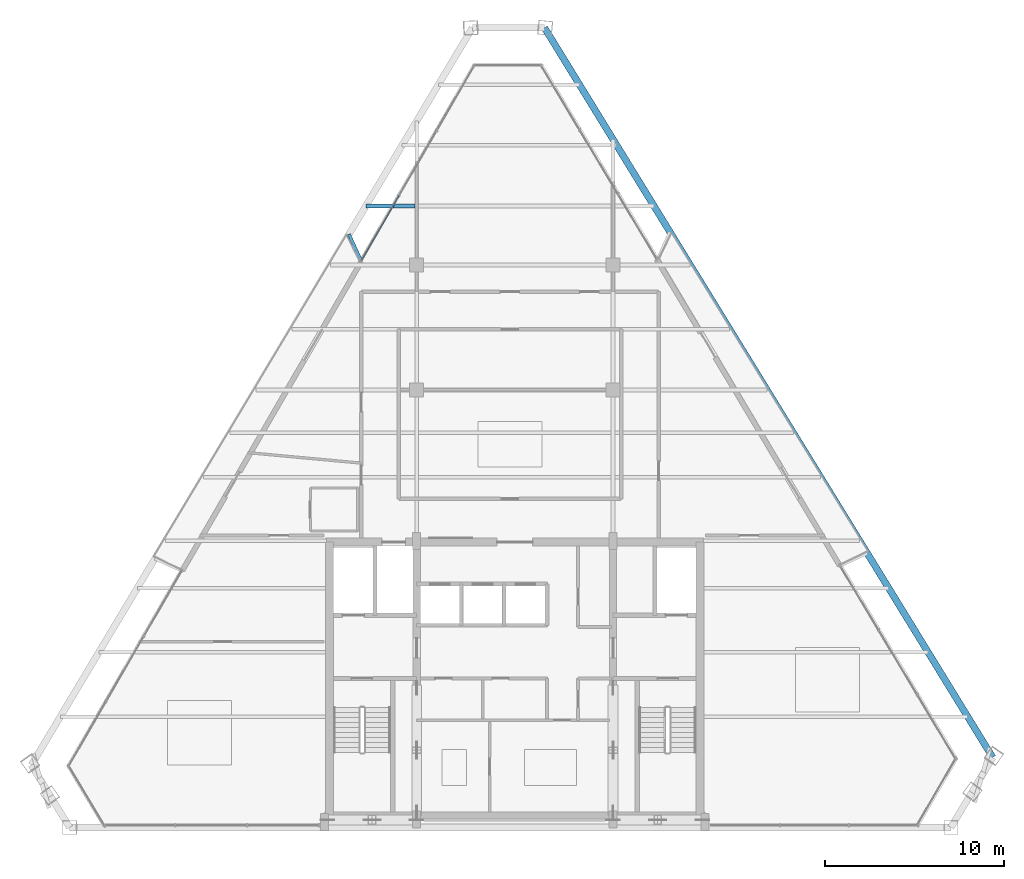
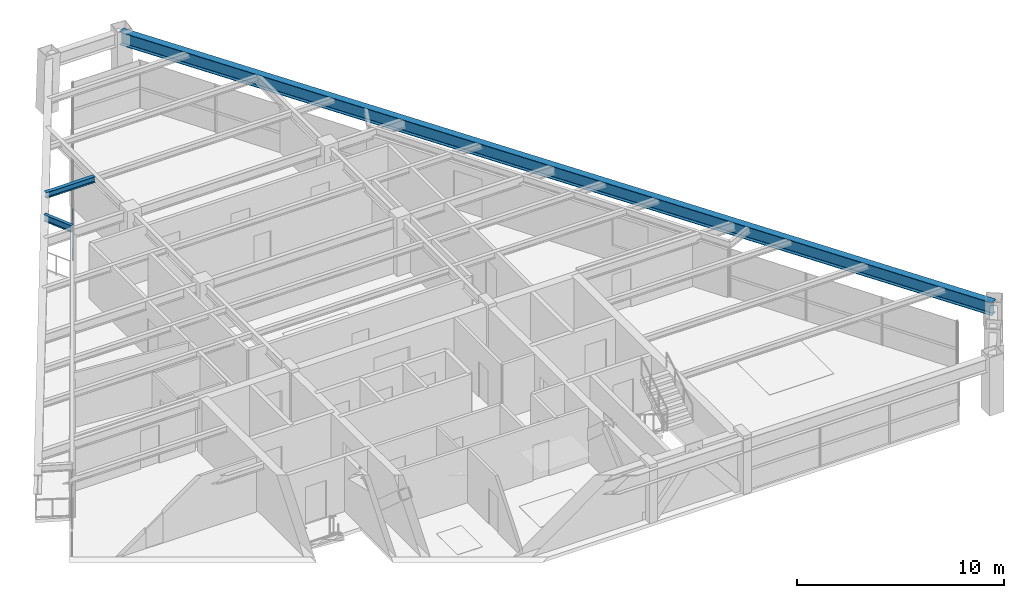
# One storey, part 6 of 13: 3 beams, 1 member, 1 element without a shape of its own.
"""IFC4 building model written with IfcOpenShell, lengths in metres."""

from ifc_helpers import new_model, si_unit, direction, frame, origin, origin_2d, place, context, subcontext, project, spatial, rectangle, i_section, extrude, source, transform, mapped, material, material_profile, profile_set, type_object, element, aggregate, save


model = new_model("IFC4")

# Units and contexts
model_context = context("Model", 3, precision=1e-05, world=origin(), true_north=direction((0.0, 1.0)))
body_context = subcontext(model_context, "Body", "Model", "MODEL_VIEW")
ifc_project = project(units=[si_unit("LENGTHUNIT", "METRE"), si_unit("AREAUNIT", "SQUARE_METRE"), si_unit("VOLUMEUNIT", "CUBIC_METRE"), si_unit("PLANEANGLEUNIT", "RADIAN"), si_unit("MASSUNIT", "GRAM", prefix="KILO")], contexts=[model_context])

# Site, building, storey
site_placement = place(None, origin())
site = spatial("IfcSite", under=ifc_project, at=site_placement, CompositionType="ELEMENT")
building_placement = place(site_placement, origin())
building = spatial("IfcBuilding", under=site, at=building_placement, Name="Varnakhor Terracotta Tower", CompositionType="ELEMENT")
storey_placement = place(building_placement, frame((0.0, 0.0, 269.550048828125)))
storey = spatial("IfcBuildingStorey", under=building, at=storey_placement, Name="L70", CompositionType="ELEMENT", Elevation=269.550048828125)

# Beams
ifc_material_1 = material(Name="Steel S355", Category="steel")
ifc_material_profile_1 = material_profile(ifc_material_1, i_section(OverallWidth=0.381103515625, OverallDepth=0.77294921875, WebThickness=0.01708984375, FlangeThickness=0.027099609375, FilletRadius=0.01806640625, at=origin_2d()), Name="W30X173")
ifc_profile_set_1 = profile_set([ifc_material_profile_1], Name="Steel S355")
beam_type_1 = type_object("IfcBeamType", Name="BM-W30X173", PredefinedType="BEAM", material=ifc_profile_set_1)
shared_shape_1 = source(origin(), body_context, "Body", "SweptSolid", [
    extrude(i_section(OverallWidth=0.381103515625, OverallDepth=0.77294921875, WebThickness=0.01708984375, FlangeThickness=0.027099609375, FilletRadius=0.01806640625, at=origin_2d()), origin(), (0.0, 0.0, 1.0), 47.958740234375),
])
beam_1_placement = place(storey_placement, frame((26.759521484375, 3.9150390625, 2.853515625), z_axis=(-0.52337438703, 0.852102840625, 0.0), x_axis=(-0.852102840625, -0.52337438703, 0.0)))
element("IfcBeam", 1, at=beam_1_placement, inside=storey, type_object=beam_type_1, Name="L70 Perimeter Spandrel 4", PredefinedType="BEAM", context=body_context, shape_type="MappedRepresentation", body=[
    mapped(shared_shape_1, transform((0.0, 0.0, 0.0), scale=1.0)),
])
ifc_material_profile_2 = material_profile(ifc_material_1, i_section(OverallWidth=0.202880859375, OverallDepth=0.346923828125, WebThickness=0.0078125, FlangeThickness=0.013427734375, FilletRadius=0.01806640625, at=origin_2d()), Name="W14X43")
ifc_profile_set_2 = profile_set([ifc_material_profile_2], Name="Steel S355")
beam_type_2 = type_object("IfcBeamType", Name="JST-W14X43", PredefinedType="JOIST", material=ifc_profile_set_2)
shared_shape_2 = source(origin(), body_context, "Body", "SweptSolid", [
    extrude(i_section(OverallWidth=0.202880859375, OverallDepth=0.346923828125, WebThickness=0.0078125, FlangeThickness=0.013427734375, FilletRadius=0.01806640625, at=origin_2d()), origin(), (0.0, 0.0, 1.0), 2.744384765625),
])
beam_2_placement = place(storey_placement, frame((-8.347412109375, 34.800048828125, 3.06640625), z_axis=(1.0, 0.0, 0.0), x_axis=(0.0, 1.0, 0.0)))
element("IfcBeam", 2, at=beam_2_placement, inside=storey, type_object=beam_type_2, Name="L70 Composite Floor Joist 7-1", PredefinedType="JOIST", context=body_context, shape_type="MappedRepresentation", body=[
    mapped(shared_shape_2, transform((0.0, 0.0, 0.0), scale=1.0)),
])
ifc_material_profile_3 = material_profile(ifc_material_1, i_section(OverallWidth=0.179931640625, OverallDepth=0.39990234375, WebThickness=0.008544921875, FlangeThickness=0.013427734375, FilletRadius=0.01806640625, at=origin_2d()), Name="IPE400")
ifc_profile_set_3 = profile_set([ifc_material_profile_3], Name="Steel S355")
beam_type_3 = type_object("IfcBeamType", Name="JST-IPE400", PredefinedType="JOIST", material=ifc_profile_set_3)
shared_shape_3 = source(origin(), body_context, "Body", "SweptSolid", [
    extrude(i_section(OverallWidth=0.179931640625, OverallDepth=0.39990234375, WebThickness=0.008544921875, FlangeThickness=0.013427734375, FilletRadius=0.01806640625, at=origin_2d()), origin(), (0.0, 0.0, 1.0), 1.63330078125),
])
beam_3_placement = place(storey_placement, frame((-8.6123046875, 31.734375, 3.0400390625), z_axis=(-0.416886308457, 0.908958638124, 0.0), x_axis=(-0.908958638124, -0.416886308457, 0.0)))
element("IfcBeam", 3, at=beam_3_placement, inside=storey, type_object=beam_type_3, Name="L71 W Loggia Tie Beam 2", PredefinedType="JOIST", context=body_context, shape_type="MappedRepresentation", body=[
    mapped(shared_shape_3, transform((0.0, 0.0, 0.0), scale=1.0)),
])

# Curtain wall, member
ifc_material_2 = material(Name="Anodised Aluminium Curtain Wall System", Category="aluminium")
curtain_wall_type = type_object("IfcCurtainWallType", Name="CW-SYS-HOTEL-LOGGIA", PredefinedType="NOTDEFINED", material=ifc_material_2)
curtain_wall_placement = place(storey_placement, origin())
curtain_wall = element("IfcCurtainWall", 4, at=curtain_wall_placement, inside=storey, type_object=curtain_wall_type, Name="L70 W Facet Curtain Wall 2", PredefinedType="NOTDEFINED")
ifc_material_3 = material(Name="Anodised Aluminium 6063-T6", Category="aluminium")
ifc_material_profile_4 = material_profile(ifc_material_3, rectangle(XDim=0.06494140625, YDim=0.14501953125, at=origin_2d()), Name="ALU TRANSOM 65x145")
ifc_profile_set_4 = profile_set([ifc_material_profile_4], Name="Anodised Aluminium 6063-T6")
member_type = type_object("IfcMemberType", Name="CWT-04", PredefinedType="USERDEFINED", material=ifc_profile_set_4)
shared_shape_4 = source(origin(), body_context, "Body", "SweptSolid", [
    extrude(rectangle(XDim=0.06494140625, YDim=0.14501953125, at=origin_2d()), origin(), (0.0, 0.0, 1.0), 4.22314453125),
])
member_placement = place(storey_placement, frame((-8.597900390625, 31.731689453125, 1.184326171875), z_axis=(0.501223125778, 0.865318079197, 0.0), x_axis=(-0.865318079197, 0.501223125778, 0.0)))
member = element("IfcMember", 5, at=member_placement, type_object=member_type, Name="L70 W Facet Curtain Wall 2 Transom 1", ObjectType="TRANSOM", PredefinedType="USERDEFINED", context=body_context, shape_type="MappedRepresentation", body=[
    mapped(shared_shape_4, transform((0.0, 0.0, 0.0), scale=1.0)),
])
aggregate(curtain_wall, [member])

save(model, "model.ifc")
